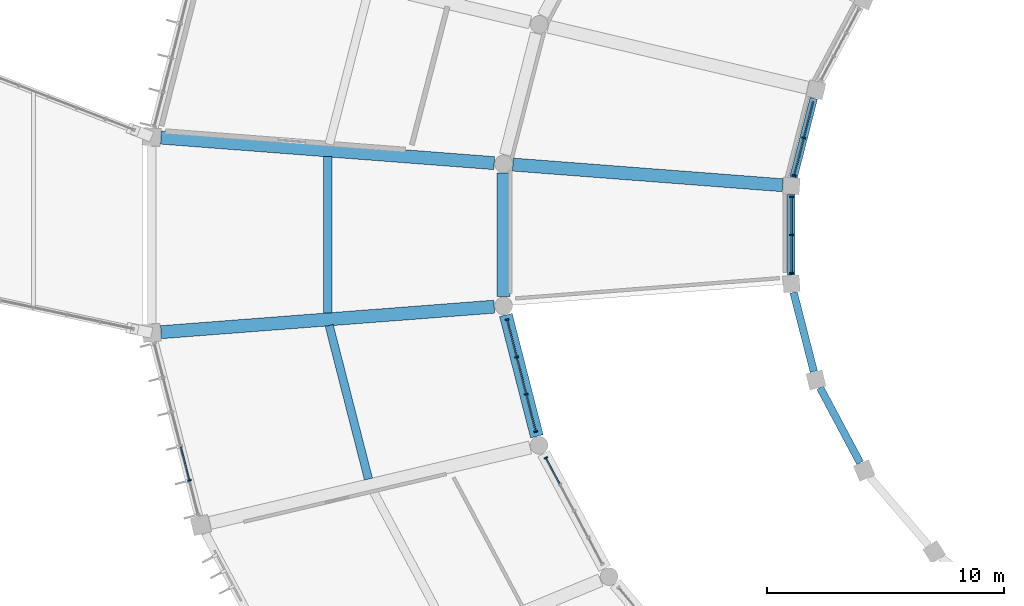
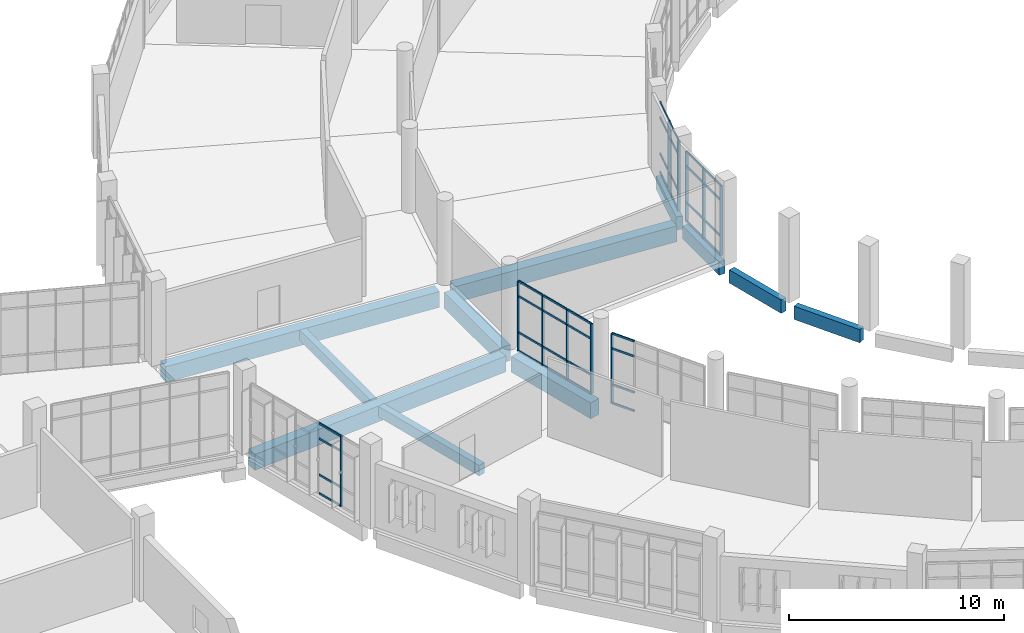
# One storey, part 17 of 179: 47 members, 11 beams, 5 elements without a shape of their own.
"""IFC4 building model written with IfcOpenShell, lengths in metres."""

from ifc_helpers import new_model, si_unit, direction, frame, origin, origin_2d, place, context, subcontext, project, spatial, rectangle, extrude, material, layer, layer_set, material_profile, profile_set, type_object, element, aggregate, save


model = new_model("IFC4")

# Units and contexts
model_context = context("Model", 3, precision=1e-05, world=origin(), true_north=direction((0.0, 1.0)))
body_context = subcontext(model_context, "Body", "Model", "MODEL_VIEW")
ifc_project = project(units=[si_unit("LENGTHUNIT", "METRE"), si_unit("AREAUNIT", "SQUARE_METRE"), si_unit("VOLUMEUNIT", "CUBIC_METRE"), si_unit("PLANEANGLEUNIT", "RADIAN"), si_unit("MASSUNIT", "GRAM", prefix="KILO")], contexts=[model_context])

# Site, building, storey
site_placement = place(None, origin())
site = spatial("IfcSite", under=ifc_project, at=site_placement, CompositionType="ELEMENT")
building_placement = place(site_placement, origin())
building = spatial("IfcBuilding", under=site, at=building_placement, Name="Corvandel Quay Wholesale Market", CompositionType="ELEMENT")
storey_placement = place(building_placement, frame((0.0, 0.0, 6.0)))
storey = spatial("IfcBuildingStorey", under=building, at=storey_placement, Name="L01", CompositionType="ELEMENT", Elevation=6.0)

# Curtain wall, members
ifc_material_1 = material(Name="Bronze anodised aluminium and low-E insulated glazing", Category="aluminium")
ifc_layer_1 = layer(ifc_material_1, 0.162109375)
ifc_layer_set_1 = layer_set([ifc_layer_1], Name="Bronze anodised aluminium and low-E insulated glazing")
curtain_wall_type_1 = type_object("IfcCurtainWallType", Name="Stick Curtain Wall System CW01 H3090", PredefinedType="NOTDEFINED", material=ifc_layer_set_1)
curtain_wall_1_placement = place(storey_placement, origin())
curtain_wall_1 = element("IfcCurtainWall", 1, at=curtain_wall_1_placement, inside=storey, type_object=curtain_wall_type_1, Name="Curtain Wall CW-0044", PredefinedType="NOTDEFINED")
ifc_material_2 = material(Name="Anodised aluminium 6063-T6", Category="aluminium")
ifc_material_profile_1 = material_profile(ifc_material_2, rectangle(XDim=0.06494140625, YDim=0.14990234375, at=origin_2d()), Name="ALU-MUL-65x150")
ifc_profile_set_1 = profile_set([ifc_material_profile_1], Name="Anodised aluminium 6063-T6")
member_type_1 = type_object("IfcMemberType", Name="Curtain Wall Mullion ML02 65x150", PredefinedType="MULLION", material=ifc_profile_set_1)
member_1_placement = place(storey_placement, frame((87.51904296875, 46.096435546875, 0.0), z_axis=(0.0, 0.0, 1.0), x_axis=(0.247844544316, 0.968799815159, 0.0)))
member_1 = element("IfcMember", 2, at=member_1_placement, type_object=member_type_1, Name="Mullion CW-0044-M01", PredefinedType="MULLION", context=body_context, shape_type="SweptSolid", body=[
    extrude(rectangle(XDim=0.06494140625, YDim=0.14990234375, at=origin_2d()), origin(), (0.0, 0.0, 1.0), 3.949951171875),
])
member_2_placement = place(storey_placement, frame((87.114013671875, 44.513671875, 0.0), z_axis=(0.0, 0.0, 1.0), x_axis=(0.247844544316, 0.968799815159, 0.0)))
member_2 = element("IfcMember", 3, at=member_2_placement, type_object=member_type_1, Name="Mullion CW-0044-M02", PredefinedType="MULLION", context=body_context, shape_type="SweptSolid", body=[
    extrude(rectangle(XDim=0.06494140625, YDim=0.14990234375, at=origin_2d()), origin(), (0.0, 0.0, 1.0), 3.949951171875),
])

ifc_layer_2 = layer(ifc_material_1, 0.174072265625)
ifc_layer_set_2 = layer_set([ifc_layer_2], Name="Bronze anodised aluminium and low-E insulated glazing")
curtain_wall_type_2 = type_object("IfcCurtainWallType", Name="Stick Curtain Wall System CW02 H3180", PredefinedType="NOTDEFINED", material=ifc_layer_set_2)
curtain_wall_2_placement = place(storey_placement, origin())
curtain_wall_2 = element("IfcCurtainWall", 4, at=curtain_wall_2_placement, inside=storey, type_object=curtain_wall_type_2, Name="Curtain Wall CW-0046", PredefinedType="NOTDEFINED")
member_3_placement = place(storey_placement, frame((87.0, 43.60791015625, 0.0), z_axis=(0.0, 0.0, 1.0), x_axis=(0.0, 1.0, 0.0)))
member_3 = element("IfcMember", 5, at=member_3_placement, type_object=member_type_1, Name="Mullion CW-0046-M00", PredefinedType="MULLION", context=body_context, shape_type="SweptSolid", body=[
    extrude(rectangle(XDim=0.06494140625, YDim=0.14990234375, at=origin_2d()), origin(), (0.0, 0.0, 1.0), 3.949951171875),
])
member_4_placement = place(storey_placement, frame((87.0, 42.0, 0.0), z_axis=(0.0, 0.0, 1.0), x_axis=(0.0, 1.0, 0.0)))
member_4 = element("IfcMember", 6, at=member_4_placement, type_object=member_type_1, Name="Mullion CW-0046-M01", PredefinedType="MULLION", context=body_context, shape_type="SweptSolid", body=[
    extrude(rectangle(XDim=0.06494140625, YDim=0.14990234375, at=origin_2d()), origin(), (0.0, 0.0, 1.0), 3.949951171875),
])
member_5_placement = place(storey_placement, frame((87.0, 40.39208984375, 0.0), z_axis=(0.0, 0.0, 1.0), x_axis=(0.0, 1.0, 0.0)))
member_5 = element("IfcMember", 7, at=member_5_placement, type_object=member_type_1, Name="Mullion CW-0046-M02", PredefinedType="MULLION", context=body_context, shape_type="SweptSolid", body=[
    extrude(rectangle(XDim=0.06494140625, YDim=0.14990234375, at=origin_2d()), origin(), (0.0, 0.0, 1.0), 3.949951171875),
])

# Curtain wall, member
ifc_layer_3 = layer(ifc_material_1, 0.162109375)
ifc_layer_set_3 = layer_set([ifc_layer_3], Name="Bronze anodised aluminium and low-E insulated glazing")
curtain_wall_type_3 = type_object("IfcCurtainWallType", Name="Stick Curtain Wall System CW21 H4890", PredefinedType="NOTDEFINED", material=ifc_layer_set_3)
curtain_wall_3_placement = place(storey_placement, origin())
curtain_wall_3 = element("IfcCurtainWall", 8, at=curtain_wall_3_placement, inside=storey, type_object=curtain_wall_type_3, Name="Curtain Wall CW-0048", PredefinedType="NOTDEFINED")
member_6_placement = place(storey_placement, frame((61.593017578125, 31.63330078125, 0.0), z_axis=(0.0, 0.0, 1.0), x_axis=(-0.247675453076, 0.968843057437, 0.0)))
member_6 = element("IfcMember", 9, at=member_6_placement, type_object=member_type_1, Name="Mullion CW-0048-M04", PredefinedType="MULLION", context=body_context, shape_type="SweptSolid", body=[
    extrude(rectangle(XDim=0.06494140625, YDim=0.14990234375, at=origin_2d()), origin(), (0.0, 0.0, 1.0), 3.949951171875),
])

# Curtain wall, members
ifc_layer_4 = layer(ifc_material_1, 0.174072265625)
ifc_layer_set_4 = layer_set([ifc_layer_4], Name="Bronze anodised aluminium and low-E insulated glazing")
curtain_wall_type_4 = type_object("IfcCurtainWallType", Name="Stick Curtain Wall System CW07 H3630", PredefinedType="NOTDEFINED", material=ifc_layer_set_4)
curtain_wall_4_placement = place(storey_placement, origin())
curtain_wall_4 = element("IfcCurtainWall", 10, at=curtain_wall_4_placement, inside=storey, type_object=curtain_wall_type_4, Name="Curtain Wall CW-0049", PredefinedType="NOTDEFINED")
member_7_placement = place(storey_placement, frame((74.998779296875, 38.419677734375, 0.0), z_axis=(0.0, 0.0, 1.0), x_axis=(-0.247844544316, 0.968799815159, 0.0)))
member_7 = element("IfcMember", 11, at=member_7_placement, type_object=member_type_1, Name="Mullion CW-0049-M00", PredefinedType="MULLION", context=body_context, shape_type="SweptSolid", body=[
    extrude(rectangle(XDim=0.06494140625, YDim=0.14990234375, at=origin_2d()), origin(), (0.0, 0.0, 1.0), 3.949951171875),
])
member_8_placement = place(storey_placement, frame((75.401123046875, 36.84619140625, 0.0), z_axis=(0.0, 0.0, 1.0), x_axis=(-0.247844544316, 0.968799815159, 0.0)))
member_8 = element("IfcMember", 12, at=member_8_placement, type_object=member_type_1, Name="Mullion CW-0049-M01", PredefinedType="MULLION", context=body_context, shape_type="SweptSolid", body=[
    extrude(rectangle(XDim=0.06494140625, YDim=0.14990234375, at=origin_2d()), origin(), (0.0, 0.0, 1.0), 3.949951171875),
])
member_9_placement = place(storey_placement, frame((75.8037109375, 35.272705078125, 0.0), z_axis=(0.0, 0.0, 1.0), x_axis=(-0.247844544316, 0.968799815159, 0.0)))
member_9 = element("IfcMember", 13, at=member_9_placement, type_object=member_type_1, Name="Mullion CW-0049-M02", PredefinedType="MULLION", context=body_context, shape_type="SweptSolid", body=[
    extrude(rectangle(XDim=0.06494140625, YDim=0.14990234375, at=origin_2d()), origin(), (0.0, 0.0, 1.0), 3.949951171875),
])
member_10_placement = place(storey_placement, frame((76.206298828125, 33.69921875, 0.0), z_axis=(0.0, 0.0, 1.0), x_axis=(-0.247844544316, 0.968799815159, 0.0)))
member_10 = element("IfcMember", 14, at=member_10_placement, type_object=member_type_1, Name="Mullion CW-0049-M03", PredefinedType="MULLION", context=body_context, shape_type="SweptSolid", body=[
    extrude(rectangle(XDim=0.06494140625, YDim=0.14990234375, at=origin_2d()), origin(), (0.0, 0.0, 1.0), 3.949951171875),
])

# Curtain wall, member
ifc_layer_5 = layer(ifc_material_1, 0.18603515625)
ifc_layer_set_5 = layer_set([ifc_layer_5], Name="Bronze anodised aluminium and low-E insulated glazing")
curtain_wall_type_5 = type_object("IfcCurtainWallType", Name="Stick Curtain Wall System CW08 H3720", PredefinedType="NOTDEFINED", material=ifc_layer_set_5)
curtain_wall_5_placement = place(storey_placement, origin())
curtain_wall_5 = element("IfcCurtainWall", 15, at=curtain_wall_5_placement, inside=storey, type_object=curtain_wall_type_5, Name="Curtain Wall CW-0051", PredefinedType="NOTDEFINED")
member_11_placement = place(storey_placement, frame((76.636962890625, 32.58837890625, 0.0), z_axis=(0.0, 0.0, 1.0), x_axis=(-0.470087862033, 0.882619624736, 0.0)))
member_11 = element("IfcMember", 16, at=member_11_placement, type_object=member_type_1, Name="Mullion CW-0051-M00", PredefinedType="MULLION", context=body_context, shape_type="SweptSolid", body=[
    extrude(rectangle(XDim=0.06494140625, YDim=0.14990234375, at=origin_2d()), origin(), (0.0, 0.0, 1.0), 3.949951171875),
])

# Member
ifc_material_profile_2 = material_profile(ifc_material_2, rectangle(XDim=0.06005859375, YDim=0.110107421875, at=origin_2d()), Name="ALU-TRN-60x110")
ifc_profile_set_2 = profile_set([ifc_material_profile_2], Name="Anodised aluminium 6063-T6")
member_type_2 = type_object("IfcMemberType", Name="Curtain Wall Transom TR02 60x110", PredefinedType="USERDEFINED", material=ifc_profile_set_2)
member_12_placement = place(storey_placement, frame((87.916015625, 47.647705078125, 0.0), z_axis=(-0.247914775851, -0.968781845368, 0.0), x_axis=(0.968781845368, -0.247914775851, 0.0)))
member_12 = element("IfcMember", 17, at=member_12_placement, type_object=member_type_2, Name="Transom CW-0044-T00-0", ObjectType="TRANSOM", PredefinedType="USERDEFINED", context=body_context, shape_type="SweptSolid", body=[
    extrude(rectangle(XDim=0.06005859375, YDim=0.110107421875, at=origin_2d()), origin(), (0.0, 0.0, 1.0), 1.56884765625),
])

member_13_placement = place(storey_placement, frame((87.916015625, 47.647705078125, 1.050048828125), z_axis=(-0.247914775851, -0.968781845368, 0.0), x_axis=(0.968781845368, -0.247914775851, 0.0)))
member_13 = element("IfcMember", 18, at=member_13_placement, type_object=member_type_2, Name="Transom CW-0044-T00-1", ObjectType="TRANSOM", PredefinedType="USERDEFINED", context=body_context, shape_type="SweptSolid", body=[
    extrude(rectangle(XDim=0.06005859375, YDim=0.110107421875, at=origin_2d()), origin(), (0.0, 0.0, 1.0), 1.56884765625),
])

member_14_placement = place(storey_placement, frame((87.916015625, 47.647705078125, 3.10009765625), z_axis=(-0.247914775851, -0.968781845368, 0.0), x_axis=(0.968781845368, -0.247914775851, 0.0)))
member_14 = element("IfcMember", 19, at=member_14_placement, type_object=member_type_2, Name="Transom CW-0044-T00-2", ObjectType="TRANSOM", PredefinedType="USERDEFINED", context=body_context, shape_type="SweptSolid", body=[
    extrude(rectangle(XDim=0.06005859375, YDim=0.110107421875, at=origin_2d()), origin(), (0.0, 0.0, 1.0), 1.56884765625),
])

member_15_placement = place(storey_placement, frame((87.916015625, 47.647705078125, 3.949951171875), z_axis=(-0.247914775851, -0.968781845368, 0.0), x_axis=(0.968781845368, -0.247914775851, 0.0)))
member_15 = element("IfcMember", 20, at=member_15_placement, type_object=member_type_2, Name="Transom CW-0044-T00-3", ObjectType="TRANSOM", PredefinedType="USERDEFINED", context=body_context, shape_type="SweptSolid", body=[
    extrude(rectangle(XDim=0.06005859375, YDim=0.110107421875, at=origin_2d()), origin(), (0.0, 0.0, 1.0), 1.56884765625),
])

member_16_placement = place(storey_placement, frame((87.510986328125, 46.06494140625, 0.0), z_axis=(-0.247914775851, -0.968781845368, 0.0), x_axis=(0.968781845368, -0.247914775851, 0.0)))
member_16 = element("IfcMember", 21, at=member_16_placement, type_object=member_type_2, Name="Transom CW-0044-T01-0", ObjectType="TRANSOM", PredefinedType="USERDEFINED", context=body_context, shape_type="SweptSolid", body=[
    extrude(rectangle(XDim=0.06005859375, YDim=0.110107421875, at=origin_2d()), origin(), (0.0, 0.0, 1.0), 1.56884765625),
])

member_17_placement = place(storey_placement, frame((87.510986328125, 46.06494140625, 1.050048828125), z_axis=(-0.247914775851, -0.968781845368, 0.0), x_axis=(0.968781845368, -0.247914775851, 0.0)))
member_17 = element("IfcMember", 22, at=member_17_placement, type_object=member_type_2, Name="Transom CW-0044-T01-1", ObjectType="TRANSOM", PredefinedType="USERDEFINED", context=body_context, shape_type="SweptSolid", body=[
    extrude(rectangle(XDim=0.06005859375, YDim=0.110107421875, at=origin_2d()), origin(), (0.0, 0.0, 1.0), 1.56884765625),
])

member_18_placement = place(storey_placement, frame((87.510986328125, 46.06494140625, 3.10009765625), z_axis=(-0.247914775851, -0.968781845368, 0.0), x_axis=(0.968781845368, -0.247914775851, 0.0)))
member_18 = element("IfcMember", 23, at=member_18_placement, type_object=member_type_2, Name="Transom CW-0044-T01-2", ObjectType="TRANSOM", PredefinedType="USERDEFINED", context=body_context, shape_type="SweptSolid", body=[
    extrude(rectangle(XDim=0.06005859375, YDim=0.110107421875, at=origin_2d()), origin(), (0.0, 0.0, 1.0), 1.56884765625),
])

member_19_placement = place(storey_placement, frame((87.510986328125, 46.06494140625, 3.949951171875), z_axis=(-0.247914775851, -0.968781845368, 0.0), x_axis=(0.968781845368, -0.247914775851, 0.0)))
member_19 = element("IfcMember", 24, at=member_19_placement, type_object=member_type_2, Name="Transom CW-0044-T01-3", ObjectType="TRANSOM", PredefinedType="USERDEFINED", context=body_context, shape_type="SweptSolid", body=[
    extrude(rectangle(XDim=0.06005859375, YDim=0.110107421875, at=origin_2d()), origin(), (0.0, 0.0, 1.0), 1.56884765625),
])

aggregate(curtain_wall_1, [member_1, member_2, member_12, member_13, member_14, member_15, member_16, member_17, member_18, member_19])

member_20_placement = place(storey_placement, frame((87.0, 43.575439453125, 0.0), z_axis=(0.0, -1.0, 0.0), x_axis=(1.0, 0.0, 0.0)))
member_20 = element("IfcMember", 25, at=member_20_placement, type_object=member_type_2, Name="Transom CW-0046-T00-0", ObjectType="TRANSOM", PredefinedType="USERDEFINED", context=body_context, shape_type="SweptSolid", body=[
    extrude(rectangle(XDim=0.06005859375, YDim=0.110107421875, at=origin_2d()), origin(), (0.0, 0.0, 1.0), 1.54296875),
])

member_21_placement = place(storey_placement, frame((87.0, 43.575439453125, 1.050048828125), z_axis=(0.0, -1.0, 0.0), x_axis=(1.0, 0.0, 0.0)))
member_21 = element("IfcMember", 26, at=member_21_placement, type_object=member_type_2, Name="Transom CW-0046-T00-1", ObjectType="TRANSOM", PredefinedType="USERDEFINED", context=body_context, shape_type="SweptSolid", body=[
    extrude(rectangle(XDim=0.06005859375, YDim=0.110107421875, at=origin_2d()), origin(), (0.0, 0.0, 1.0), 1.54296875),
])

member_22_placement = place(storey_placement, frame((87.0, 43.575439453125, 3.10009765625), z_axis=(0.0, -1.0, 0.0), x_axis=(1.0, 0.0, 0.0)))
member_22 = element("IfcMember", 27, at=member_22_placement, type_object=member_type_2, Name="Transom CW-0046-T00-2", ObjectType="TRANSOM", PredefinedType="USERDEFINED", context=body_context, shape_type="SweptSolid", body=[
    extrude(rectangle(XDim=0.06005859375, YDim=0.110107421875, at=origin_2d()), origin(), (0.0, 0.0, 1.0), 1.54296875),
])

member_23_placement = place(storey_placement, frame((87.0, 43.575439453125, 3.949951171875), z_axis=(0.0, -1.0, 0.0), x_axis=(1.0, 0.0, 0.0)))
member_23 = element("IfcMember", 28, at=member_23_placement, type_object=member_type_2, Name="Transom CW-0046-T00-3", ObjectType="TRANSOM", PredefinedType="USERDEFINED", context=body_context, shape_type="SweptSolid", body=[
    extrude(rectangle(XDim=0.06005859375, YDim=0.110107421875, at=origin_2d()), origin(), (0.0, 0.0, 1.0), 1.54296875),
])

member_24_placement = place(storey_placement, frame((87.0, 41.967529296875, 0.0), z_axis=(0.0, -1.0, 0.0), x_axis=(1.0, 0.0, 0.0)))
member_24 = element("IfcMember", 29, at=member_24_placement, type_object=member_type_2, Name="Transom CW-0046-T01-0", ObjectType="TRANSOM", PredefinedType="USERDEFINED", context=body_context, shape_type="SweptSolid", body=[
    extrude(rectangle(XDim=0.06005859375, YDim=0.110107421875, at=origin_2d()), origin(), (0.0, 0.0, 1.0), 1.54296875),
])

member_25_placement = place(storey_placement, frame((87.0, 41.967529296875, 1.050048828125), z_axis=(0.0, -1.0, 0.0), x_axis=(1.0, 0.0, 0.0)))
member_25 = element("IfcMember", 30, at=member_25_placement, type_object=member_type_2, Name="Transom CW-0046-T01-1", ObjectType="TRANSOM", PredefinedType="USERDEFINED", context=body_context, shape_type="SweptSolid", body=[
    extrude(rectangle(XDim=0.06005859375, YDim=0.110107421875, at=origin_2d()), origin(), (0.0, 0.0, 1.0), 1.54296875),
])

member_26_placement = place(storey_placement, frame((87.0, 41.967529296875, 3.10009765625), z_axis=(0.0, -1.0, 0.0), x_axis=(1.0, 0.0, 0.0)))
member_26 = element("IfcMember", 31, at=member_26_placement, type_object=member_type_2, Name="Transom CW-0046-T01-2", ObjectType="TRANSOM", PredefinedType="USERDEFINED", context=body_context, shape_type="SweptSolid", body=[
    extrude(rectangle(XDim=0.06005859375, YDim=0.110107421875, at=origin_2d()), origin(), (0.0, 0.0, 1.0), 1.54296875),
])

member_27_placement = place(storey_placement, frame((87.0, 41.967529296875, 3.949951171875), z_axis=(0.0, -1.0, 0.0), x_axis=(1.0, 0.0, 0.0)))
member_27 = element("IfcMember", 32, at=member_27_placement, type_object=member_type_2, Name="Transom CW-0046-T01-3", ObjectType="TRANSOM", PredefinedType="USERDEFINED", context=body_context, shape_type="SweptSolid", body=[
    extrude(rectangle(XDim=0.06005859375, YDim=0.110107421875, at=origin_2d()), origin(), (0.0, 0.0, 1.0), 1.54296875),
])

aggregate(curtain_wall_2, [member_3, member_4, member_5, member_20, member_21, member_22, member_23, member_24, member_25, member_26, member_27])

member_28_placement = place(storey_placement, frame((61.230712890625, 33.05029296875, 0.0), z_axis=(0.24771400443, -0.968833201335, 0.0), x_axis=(0.968833201335, 0.24771400443, 0.0)))
member_28 = element("IfcMember", 33, at=member_28_placement, type_object=member_type_2, Name="Transom CW-0048-T03-0", ObjectType="TRANSOM", PredefinedType="USERDEFINED", context=body_context, shape_type="SweptSolid", body=[
    extrude(rectangle(XDim=0.06005859375, YDim=0.110107421875, at=origin_2d()), origin(), (0.0, 0.0, 1.0), 1.43017578125),
])

member_29_placement = place(storey_placement, frame((61.230712890625, 33.05029296875, 1.050048828125), z_axis=(0.24771400443, -0.968833201335, 0.0), x_axis=(0.968833201335, 0.24771400443, 0.0)))
member_29 = element("IfcMember", 34, at=member_29_placement, type_object=member_type_2, Name="Transom CW-0048-T03-1", ObjectType="TRANSOM", PredefinedType="USERDEFINED", context=body_context, shape_type="SweptSolid", body=[
    extrude(rectangle(XDim=0.06005859375, YDim=0.110107421875, at=origin_2d()), origin(), (0.0, 0.0, 1.0), 1.43017578125),
])

member_30_placement = place(storey_placement, frame((61.230712890625, 33.05029296875, 3.10009765625), z_axis=(0.24771400443, -0.968833201335, 0.0), x_axis=(0.968833201335, 0.24771400443, 0.0)))
member_30 = element("IfcMember", 35, at=member_30_placement, type_object=member_type_2, Name="Transom CW-0048-T03-2", ObjectType="TRANSOM", PredefinedType="USERDEFINED", context=body_context, shape_type="SweptSolid", body=[
    extrude(rectangle(XDim=0.06005859375, YDim=0.110107421875, at=origin_2d()), origin(), (0.0, 0.0, 1.0), 1.43017578125),
])

member_31_placement = place(storey_placement, frame((61.230712890625, 33.05029296875, 3.949951171875), z_axis=(0.24771400443, -0.968833201335, 0.0), x_axis=(0.968833201335, 0.24771400443, 0.0)))
member_31 = element("IfcMember", 36, at=member_31_placement, type_object=member_type_2, Name="Transom CW-0048-T03-3", ObjectType="TRANSOM", PredefinedType="USERDEFINED", context=body_context, shape_type="SweptSolid", body=[
    extrude(rectangle(XDim=0.06005859375, YDim=0.110107421875, at=origin_2d()), origin(), (0.0, 0.0, 1.0), 1.43017578125),
])

aggregate(curtain_wall_3, [member_6, member_28, member_29, member_30, member_31])

member_32_placement = place(storey_placement, frame((75.0068359375, 38.38818359375, 0.0), z_axis=(0.247874263937, -0.968792211611, 0.0), x_axis=(0.968792211611, 0.247874263937, 0.0)))
member_32 = element("IfcMember", 37, at=member_32_placement, type_object=member_type_2, Name="Transom CW-0049-T00-0", ObjectType="TRANSOM", PredefinedType="USERDEFINED", context=body_context, shape_type="SweptSolid", body=[
    extrude(rectangle(XDim=0.06005859375, YDim=0.110107421875, at=origin_2d()), origin(), (0.0, 0.0, 1.0), 1.55908203125),
])

member_33_placement = place(storey_placement, frame((75.0068359375, 38.38818359375, 1.050048828125), z_axis=(0.247874263937, -0.968792211611, 0.0), x_axis=(0.968792211611, 0.247874263937, 0.0)))
member_33 = element("IfcMember", 38, at=member_33_placement, type_object=member_type_2, Name="Transom CW-0049-T00-1", ObjectType="TRANSOM", PredefinedType="USERDEFINED", context=body_context, shape_type="SweptSolid", body=[
    extrude(rectangle(XDim=0.06005859375, YDim=0.110107421875, at=origin_2d()), origin(), (0.0, 0.0, 1.0), 1.55908203125),
])

member_34_placement = place(storey_placement, frame((75.0068359375, 38.38818359375, 3.10009765625), z_axis=(0.247874263937, -0.968792211611, 0.0), x_axis=(0.968792211611, 0.247874263937, 0.0)))
member_34 = element("IfcMember", 39, at=member_34_placement, type_object=member_type_2, Name="Transom CW-0049-T00-2", ObjectType="TRANSOM", PredefinedType="USERDEFINED", context=body_context, shape_type="SweptSolid", body=[
    extrude(rectangle(XDim=0.06005859375, YDim=0.110107421875, at=origin_2d()), origin(), (0.0, 0.0, 1.0), 1.55908203125),
])

member_35_placement = place(storey_placement, frame((75.0068359375, 38.38818359375, 3.949951171875), z_axis=(0.247874263937, -0.968792211611, 0.0), x_axis=(0.968792211611, 0.247874263937, 0.0)))
member_35 = element("IfcMember", 40, at=member_35_placement, type_object=member_type_2, Name="Transom CW-0049-T00-3", ObjectType="TRANSOM", PredefinedType="USERDEFINED", context=body_context, shape_type="SweptSolid", body=[
    extrude(rectangle(XDim=0.06005859375, YDim=0.110107421875, at=origin_2d()), origin(), (0.0, 0.0, 1.0), 1.55908203125),
])

member_36_placement = place(storey_placement, frame((75.4091796875, 36.814697265625, 0.0), z_axis=(0.247874263937, -0.968792211611, 0.0), x_axis=(0.968792211611, 0.247874263937, 0.0)))
member_36 = element("IfcMember", 41, at=member_36_placement, type_object=member_type_2, Name="Transom CW-0049-T01-0", ObjectType="TRANSOM", PredefinedType="USERDEFINED", context=body_context, shape_type="SweptSolid", body=[
    extrude(rectangle(XDim=0.06005859375, YDim=0.110107421875, at=origin_2d()), origin(), (0.0, 0.0, 1.0), 1.55908203125),
])

member_37_placement = place(storey_placement, frame((75.4091796875, 36.814697265625, 1.050048828125), z_axis=(0.247874263937, -0.968792211611, 0.0), x_axis=(0.968792211611, 0.247874263937, 0.0)))
member_37 = element("IfcMember", 42, at=member_37_placement, type_object=member_type_2, Name="Transom CW-0049-T01-1", ObjectType="TRANSOM", PredefinedType="USERDEFINED", context=body_context, shape_type="SweptSolid", body=[
    extrude(rectangle(XDim=0.06005859375, YDim=0.110107421875, at=origin_2d()), origin(), (0.0, 0.0, 1.0), 1.55908203125),
])

member_38_placement = place(storey_placement, frame((75.4091796875, 36.814697265625, 3.10009765625), z_axis=(0.247874263937, -0.968792211611, 0.0), x_axis=(0.968792211611, 0.247874263937, 0.0)))
member_38 = element("IfcMember", 43, at=member_38_placement, type_object=member_type_2, Name="Transom CW-0049-T01-2", ObjectType="TRANSOM", PredefinedType="USERDEFINED", context=body_context, shape_type="SweptSolid", body=[
    extrude(rectangle(XDim=0.06005859375, YDim=0.110107421875, at=origin_2d()), origin(), (0.0, 0.0, 1.0), 1.55908203125),
])

member_39_placement = place(storey_placement, frame((75.4091796875, 36.814697265625, 3.949951171875), z_axis=(0.247874263937, -0.968792211611, 0.0), x_axis=(0.968792211611, 0.247874263937, 0.0)))
member_39 = element("IfcMember", 44, at=member_39_placement, type_object=member_type_2, Name="Transom CW-0049-T01-3", ObjectType="TRANSOM", PredefinedType="USERDEFINED", context=body_context, shape_type="SweptSolid", body=[
    extrude(rectangle(XDim=0.06005859375, YDim=0.110107421875, at=origin_2d()), origin(), (0.0, 0.0, 1.0), 1.55908203125),
])

member_40_placement = place(storey_placement, frame((75.811767578125, 35.2412109375, 0.0), z_axis=(0.247874263937, -0.968792211611, 0.0), x_axis=(0.968792211611, 0.247874263937, 0.0)))
member_40 = element("IfcMember", 45, at=member_40_placement, type_object=member_type_2, Name="Transom CW-0049-T02-0", ObjectType="TRANSOM", PredefinedType="USERDEFINED", context=body_context, shape_type="SweptSolid", body=[
    extrude(rectangle(XDim=0.06005859375, YDim=0.110107421875, at=origin_2d()), origin(), (0.0, 0.0, 1.0), 1.55908203125),
])

member_41_placement = place(storey_placement, frame((75.811767578125, 35.2412109375, 1.050048828125), z_axis=(0.247874263937, -0.968792211611, 0.0), x_axis=(0.968792211611, 0.247874263937, 0.0)))
member_41 = element("IfcMember", 46, at=member_41_placement, type_object=member_type_2, Name="Transom CW-0049-T02-1", ObjectType="TRANSOM", PredefinedType="USERDEFINED", context=body_context, shape_type="SweptSolid", body=[
    extrude(rectangle(XDim=0.06005859375, YDim=0.110107421875, at=origin_2d()), origin(), (0.0, 0.0, 1.0), 1.55908203125),
])

member_42_placement = place(storey_placement, frame((75.811767578125, 35.2412109375, 3.10009765625), z_axis=(0.247874263937, -0.968792211611, 0.0), x_axis=(0.968792211611, 0.247874263937, 0.0)))
member_42 = element("IfcMember", 47, at=member_42_placement, type_object=member_type_2, Name="Transom CW-0049-T02-2", ObjectType="TRANSOM", PredefinedType="USERDEFINED", context=body_context, shape_type="SweptSolid", body=[
    extrude(rectangle(XDim=0.06005859375, YDim=0.110107421875, at=origin_2d()), origin(), (0.0, 0.0, 1.0), 1.55908203125),
])

member_43_placement = place(storey_placement, frame((75.811767578125, 35.2412109375, 3.949951171875), z_axis=(0.247874263937, -0.968792211611, 0.0), x_axis=(0.968792211611, 0.247874263937, 0.0)))
member_43 = element("IfcMember", 48, at=member_43_placement, type_object=member_type_2, Name="Transom CW-0049-T02-3", ObjectType="TRANSOM", PredefinedType="USERDEFINED", context=body_context, shape_type="SweptSolid", body=[
    extrude(rectangle(XDim=0.06005859375, YDim=0.110107421875, at=origin_2d()), origin(), (0.0, 0.0, 1.0), 1.55908203125),
])

aggregate(curtain_wall_4, [member_7, member_8, member_9, member_10, member_32, member_33, member_34, member_35, member_36, member_37, member_38, member_39, member_40, member_41, member_42, member_43])

member_44_placement = place(storey_placement, frame((76.65234375, 32.559814453125, 0.0), z_axis=(0.470009555952, -0.882661326508, 0.0), x_axis=(0.882661326508, 0.470009555952, 0.0)))
member_44 = element("IfcMember", 49, at=member_44_placement, type_object=member_type_2, Name="Transom CW-0051-T00-0", ObjectType="TRANSOM", PredefinedType="USERDEFINED", context=body_context, shape_type="SweptSolid", body=[
    extrude(rectangle(XDim=0.06005859375, YDim=0.110107421875, at=origin_2d()), origin(), (0.0, 0.0, 1.0), 1.20458984375),
])

member_45_placement = place(storey_placement, frame((76.65234375, 32.559814453125, 1.050048828125), z_axis=(0.470009555952, -0.882661326508, 0.0), x_axis=(0.882661326508, 0.470009555952, 0.0)))
member_45 = element("IfcMember", 50, at=member_45_placement, type_object=member_type_2, Name="Transom CW-0051-T00-1", ObjectType="TRANSOM", PredefinedType="USERDEFINED", context=body_context, shape_type="SweptSolid", body=[
    extrude(rectangle(XDim=0.06005859375, YDim=0.110107421875, at=origin_2d()), origin(), (0.0, 0.0, 1.0), 1.20458984375),
])

member_46_placement = place(storey_placement, frame((76.65234375, 32.559814453125, 3.10009765625), z_axis=(0.470009555952, -0.882661326508, 0.0), x_axis=(0.882661326508, 0.470009555952, 0.0)))
member_46 = element("IfcMember", 51, at=member_46_placement, type_object=member_type_2, Name="Transom CW-0051-T00-2", ObjectType="TRANSOM", PredefinedType="USERDEFINED", context=body_context, shape_type="SweptSolid", body=[
    extrude(rectangle(XDim=0.06005859375, YDim=0.110107421875, at=origin_2d()), origin(), (0.0, 0.0, 1.0), 1.20458984375),
])

member_47_placement = place(storey_placement, frame((76.65234375, 32.559814453125, 3.949951171875), z_axis=(0.470009555952, -0.882661326508, 0.0), x_axis=(0.882661326508, 0.470009555952, 0.0)))
member_47 = element("IfcMember", 52, at=member_47_placement, type_object=member_type_2, Name="Transom CW-0051-T00-3", ObjectType="TRANSOM", PredefinedType="USERDEFINED", context=body_context, shape_type="SweptSolid", body=[
    extrude(rectangle(XDim=0.06005859375, YDim=0.110107421875, at=origin_2d()), origin(), (0.0, 0.0, 1.0), 1.20458984375),
])

aggregate(curtain_wall_5, [member_11, member_44, member_45, member_46, member_47])

# Beams
ifc_material_3 = material(Name="Precast concrete C45/55", Category="concrete")
ifc_material_profile_3 = material_profile(ifc_material_3, rectangle(XDim=0.320068359375, YDim=0.75, at=origin_2d()), Name="PC-SPN-320x750")
ifc_profile_set_3 = profile_set([ifc_material_profile_3], Name="Precast concrete C45/55")
beam_type_1 = type_object("IfcBeamType", Name="Pavilion Precast Spandrel SP02 320x750", PredefinedType="SPANDREL", material=ifc_profile_set_3)
beam_1_placement = place(storey_placement, frame((87.9462890625, 47.7666015625, -0.655029296875), z_axis=(-0.247847161031, -0.968799145731, 0.0), x_axis=(0.968799145731, -0.247847161031, 0.0)))
element("IfcBeam", 53, at=beam_1_placement, inside=storey, type_object=beam_type_1, Name="Beam BM-0183", PredefinedType="SPANDREL", context=body_context, shape_type="SweptSolid", body=[
    extrude(rectangle(XDim=0.320068359375, YDim=0.75, at=origin_2d()), origin(), (0.0, 0.0, 1.0), 3.44775390625),
])
beam_2_placement = place(storey_placement, frame((87.0, 43.697998046875, -0.655029296875), z_axis=(0.0, -1.0, 0.0), x_axis=(1.0, 0.0, 0.0)))
element("IfcBeam", 54, at=beam_2_placement, inside=storey, type_object=beam_type_1, Name="Beam BM-0196", PredefinedType="SPANDREL", context=body_context, shape_type="SweptSolid", body=[
    extrude(rectangle(XDim=0.320068359375, YDim=0.75, at=origin_2d()), origin(), (0.0, 0.0, 1.0), 3.39599609375),
])
beam_3_placement = place(storey_placement, frame((87.091796875, 39.573486328125, -0.655029296875), z_axis=(0.247847161031, -0.968799145731, 0.0), x_axis=(0.968799145731, 0.247847161031, 0.0)))
element("IfcBeam", 55, at=beam_3_placement, inside=storey, type_object=beam_type_1, Name="Beam BM-0209", PredefinedType="SPANDREL", context=body_context, shape_type="SweptSolid", body=[
    extrude(rectangle(XDim=0.320068359375, YDim=0.75, at=origin_2d()), origin(), (0.0, 0.0, 1.0), 3.44775390625),
])
beam_4_placement = place(storey_placement, frame((88.2119140625, 35.54833984375, -0.655029296875), z_axis=(0.469998654981, -0.882667131095, 0.0), x_axis=(0.882667131095, 0.469998654981, 0.0)))
element("IfcBeam", 56, at=beam_4_placement, inside=storey, type_object=beam_type_1, Name="Beam BM-0221", PredefinedType="SPANDREL", context=body_context, shape_type="SweptSolid", body=[
    extrude(rectangle(XDim=0.320068359375, YDim=0.75, at=origin_2d()), origin(), (0.0, 0.0, 1.0), 3.58984375),
])
ifc_material_profile_4 = material_profile(ifc_material_3, rectangle(XDim=0.550048828125, YDim=0.89990234375, at=origin_2d()), Name="PC-GIR-550x900")
ifc_profile_set_4 = profile_set([ifc_material_profile_4], Name="Precast concrete C45/55")
beam_type_2 = type_object("IfcBeamType", Name="Produce Hall Radial Girder G03 550x900", PredefinedType="USERDEFINED", material=ifc_profile_set_4)
beam_5_placement = place(storey_placement, frame((74.85009765625, 44.60400390625, -0.75), z_axis=(0.0, -1.0, 0.0), x_axis=(1.0, 0.0, 0.0)))
element("IfcBeam", 57, at=beam_5_placement, inside=storey, type_object=beam_type_2, Name="Beam BM-0193", ObjectType="GIRDER", PredefinedType="USERDEFINED", context=body_context, shape_type="SweptSolid", body=[
    extrude(rectangle(XDim=0.550048828125, YDim=0.89990234375, at=origin_2d()), origin(), (0.0, 0.0, 1.0), 5.2080078125),
])
beam_6_placement = place(storey_placement, frame((60.393798828125, 46.106689453125, -0.75), z_axis=(0.997077960365, -0.076390712484, 0.0), x_axis=(0.076390712484, 0.997077960365, 0.0)))
element("IfcBeam", 58, at=beam_6_placement, inside=storey, type_object=beam_type_2, Name="Beam BM-0194", ObjectType="GIRDER", PredefinedType="USERDEFINED", context=body_context, shape_type="SweptSolid", body=[
    extrude(rectangle(XDim=0.550048828125, YDim=0.89990234375, at=origin_2d()), origin(), (0.0, 0.0, 1.0), 14.103759765625),
])
beam_7_placement = place(storey_placement, frame((75.243896484375, 44.96875, -0.72998046875), z_axis=(0.997077076803, -0.076402244168, 0.0), x_axis=(0.076402244168, 0.997077076803, 0.0)))
element("IfcBeam", 59, at=beam_7_placement, inside=storey, type_object=beam_type_2, Name="Beam BM-0197", ObjectType="GIRDER", PredefinedType="USERDEFINED", context=body_context, shape_type="SweptSolid", body=[
    extrude(rectangle(XDim=0.550048828125, YDim=0.89990234375, at=origin_2d()), origin(), (0.0, 0.0, 1.0), 11.420654296875),
])
beam_8_placement = place(storey_placement, frame((74.947998046875, 38.618408203125, -0.75), z_axis=(0.247817109088, -0.9688068334, 0.0), x_axis=(0.9688068334, 0.247817109088, 0.0)))
element("IfcBeam", 60, at=beam_8_placement, inside=storey, type_object=beam_type_2, Name="Beam BM-0206", ObjectType="GIRDER", PredefinedType="USERDEFINED", context=body_context, shape_type="SweptSolid", body=[
    extrude(rectangle(XDim=0.550048828125, YDim=0.89990234375, at=origin_2d()), origin(), (0.0, 0.0, 1.0), 5.282470703125),
])
beam_9_placement = place(storey_placement, frame((60.393798828125, 37.893310546875, -0.75), z_axis=(0.997077960365, 0.076390712484, 0.0), x_axis=(-0.076390712484, 0.997077960365, 0.0)))
element("IfcBeam", 61, at=beam_9_placement, inside=storey, type_object=beam_type_2, Name="Beam BM-0207", ObjectType="GIRDER", PredefinedType="USERDEFINED", context=body_context, shape_type="SweptSolid", body=[
    extrude(rectangle(XDim=0.550048828125, YDim=0.89990234375, at=origin_2d()), origin(), (0.0, 0.0, 1.0), 14.103759765625),
])
ifc_material_profile_5 = material_profile(ifc_material_3, rectangle(XDim=0.35009765625, YDim=0.60009765625, at=origin_2d()), Name="PC-BM-350x600")
ifc_profile_set_5 = profile_set([ifc_material_profile_5], Name="Precast concrete C45/55")
beam_type_3 = type_object("IfcBeamType", Name="Trading Gallery Secondary Beam B02 350x600", PredefinedType="BEAM", material=ifc_profile_set_5)
beam_10_placement = place(storey_placement, frame((67.425048828125, 45.302978515625, -0.60009765625), z_axis=(0.0, -1.0, 0.0), x_axis=(1.0, 0.0, 0.0)))
element("IfcBeam", 62, at=beam_10_placement, inside=storey, type_object=beam_type_3, Name="Beam BM-0195", PredefinedType="BEAM", context=body_context, shape_type="SweptSolid", body=[
    extrude(rectangle(XDim=0.35009765625, YDim=0.60009765625, at=origin_2d()), origin(), (0.0, 0.0, 1.0), 6.60595703125),
])
beam_11_placement = place(storey_placement, frame((67.49072265625, 38.17529296875, -0.60009765625), z_axis=(0.2477926489, -0.968813089894, 0.0), x_axis=(0.968813089894, 0.2477926489, 0.0)))
element("IfcBeam", 63, at=beam_11_placement, inside=storey, type_object=beam_type_3, Name="Beam BM-0208", PredefinedType="BEAM", context=body_context, shape_type="SweptSolid", body=[
    extrude(rectangle(XDim=0.35009765625, YDim=0.60009765625, at=origin_2d()), origin(), (0.0, 0.0, 1.0), 6.69384765625),
])

save(model, "model.ifc")
